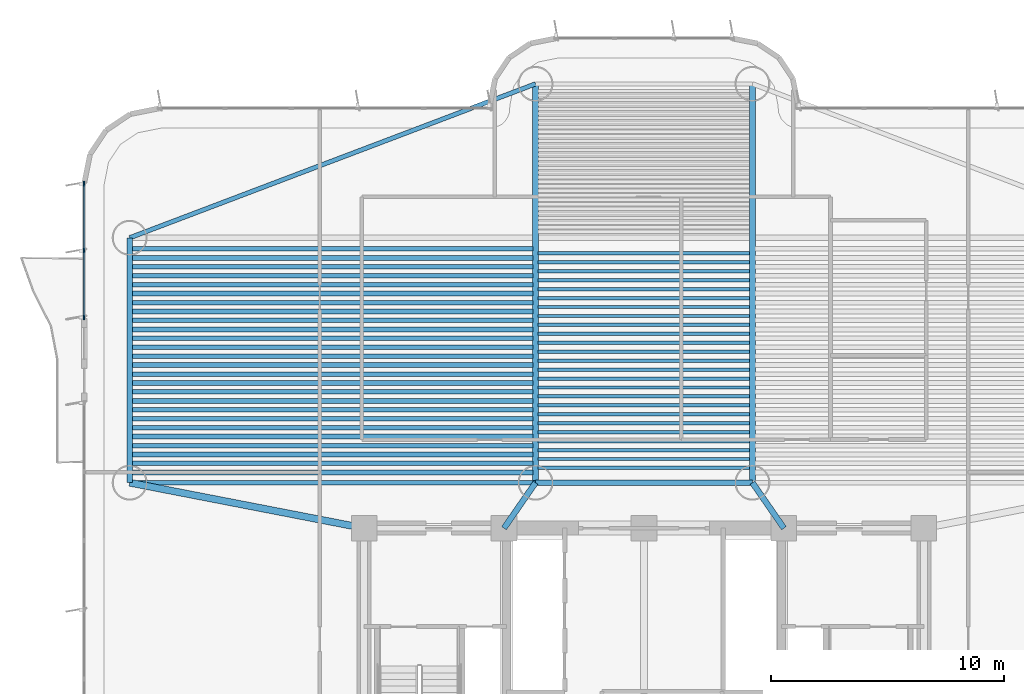
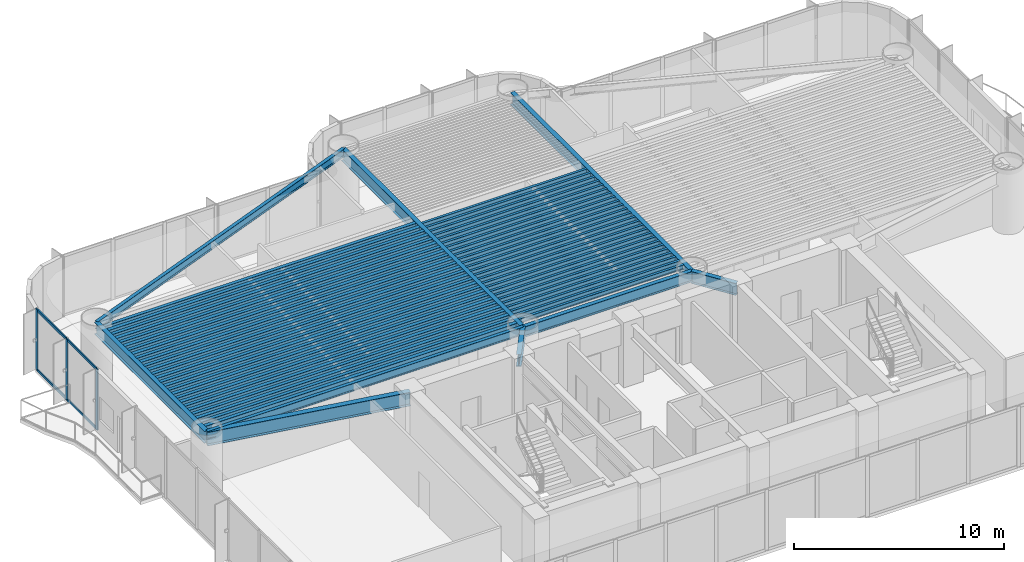
# One storey, part 3 of 16: 60 beams, 7 members, 1 element without a shape of its own.
"""IFC4 building model written with IfcOpenShell, lengths in metres."""

from ifc_helpers import new_model, si_unit, direction, frame, origin, origin_2d, place, context, subcontext, project, spatial, rectangle, i_section, extrude, source, transform, mapped, material, layer, layer_set, material_profile, profile_set, type_object, element, aggregate, save


model = new_model("IFC4")

# Units and contexts
model_context = context("Model", 3, precision=1e-05, world=origin(), true_north=direction((0.0, 1.0)))
body_context = subcontext(model_context, "Body", "Model", "MODEL_VIEW")
ifc_project = project(units=[si_unit("LENGTHUNIT", "METRE"), si_unit("AREAUNIT", "SQUARE_METRE"), si_unit("VOLUMEUNIT", "CUBIC_METRE"), si_unit("PLANEANGLEUNIT", "RADIAN"), si_unit("MASSUNIT", "GRAM", prefix="KILO")], contexts=[model_context])

# Site, building, storey
site_placement = place(None, origin())
site = spatial("IfcSite", under=ifc_project, at=site_placement, CompositionType="ELEMENT")
building_placement = place(site_placement, origin())
building = spatial("IfcBuilding", under=site, at=building_placement, Name="Brelvock Crest Care Tower", CompositionType="ELEMENT")
storey_placement = place(building_placement, frame((0.0, 0.0, 61.02001953125)))
storey = spatial("IfcBuildingStorey", under=building, at=storey_placement, Name="L15", CompositionType="ELEMENT", Elevation=61.02001953125)

# Beams
ifc_material_1 = material(Name="Steel Grade 350", Category="steel")
ifc_material_profile_1 = material_profile(ifc_material_1, i_section(OverallWidth=0.25, OverallDepth=0.699951171875, WebThickness=0.011962890625, FlangeThickness=0.02001953125, at=origin_2d()), Name="700WB150")
ifc_profile_set_1 = profile_set([ifc_material_profile_1], Name="Steel Grade 350")
beam_type_1 = type_object("IfcBeamType", Name="BM-G4", PredefinedType="BEAM", material=ifc_profile_set_1)
shared_shape_1 = source(origin(), body_context, "Body", "SweptSolid", [
    extrude(i_section(OverallWidth=0.25, OverallDepth=0.699951171875, WebThickness=0.011962890625, FlangeThickness=0.02001953125, at=origin_2d()), origin(), (0.0, 0.0, 1.0), 10.5),
])
beam_1_placement = place(storey_placement, frame((13.949951171875, 19.949951171875, 3.179931640625), z_axis=(0.0, 1.0, 0.0), x_axis=(-1.0, 0.0, 0.0)))
element("IfcBeam", 1, at=beam_1_placement, inside=storey, type_object=beam_type_1, Name="BM-TWR-L15-01", PredefinedType="BEAM", context=body_context, shape_type="MappedRepresentation", body=[
    mapped(shared_shape_1, transform((0.0, 0.0, 0.0), x_axis=(1.0, 0.0, 0.0), y_axis=(0.0, 1.0, 0.0), z_axis=(0.0, 0.0, 1.0), scale=1.0)),
])
ifc_material_profile_2 = material_profile(ifc_material_1, i_section(OverallWidth=0.19091796875, OverallDepth=0.4599609375, WebThickness=0.010009765625, FlangeThickness=0.01611328125, FilletRadius=0.011474609375, at=origin_2d()), Name="460UB82.1")
ifc_profile_set_2 = profile_set([ifc_material_profile_2], Name="Steel Grade 350")
beam_type_2 = type_object("IfcBeamType", Name="BM-SP2", PredefinedType="SPANDREL", material=ifc_profile_set_2)
shared_shape_2 = source(origin(), body_context, "Body", "SweptSolid", [
    extrude(i_section(OverallWidth=0.19091796875, OverallDepth=0.4599609375, WebThickness=0.010009765625, FlangeThickness=0.01611328125, FilletRadius=0.011474609375, at=origin_2d()), origin(), (0.0, 0.0, 1.0), 17.400146484375),
])
beam_2_placement = place(storey_placement, frame((13.949951171875, 19.949951171875, 3.300048828125), z_axis=(1.0, 0.0, 0.0), x_axis=(0.0, 1.0, 0.0)))
element("IfcBeam", 2, at=beam_2_placement, inside=storey, type_object=beam_type_2, Name="BM-TWR-L15-03", PredefinedType="SPANDREL", context=body_context, shape_type="MappedRepresentation", body=[
    mapped(shared_shape_2, transform((0.0, 0.0, 0.0), x_axis=(1.0, 0.0, 0.0), y_axis=(0.0, 1.0, 0.0), z_axis=(0.0, 0.0, 1.0), scale=1.0)),
])
ifc_material_profile_3 = material_profile(ifc_material_1, i_section(OverallWidth=0.22900390625, OverallDepth=0.612060546875, WebThickness=0.011962890625, FlangeThickness=0.01953125, FilletRadius=0.013916015625, at=origin_2d()), Name="610UB125")
ifc_profile_set_3 = profile_set([ifc_material_profile_3], Name="Steel Grade 350")
beam_type_3 = type_object("IfcBeamType", Name="BM-G1", PredefinedType="BEAM", material=ifc_profile_set_3)
shared_shape_3 = source(origin(), body_context, "Body", "SweptSolid", [
    extrude(i_section(OverallWidth=0.22900390625, OverallDepth=0.612060546875, WebThickness=0.011962890625, FlangeThickness=0.01953125, FilletRadius=0.013916015625, at=origin_2d()), origin(), (0.0, 0.0, 1.0), 9.2998046875),
])
beam_3_placement = place(storey_placement, frame((31.35009765625, 19.949951171875, 3.223876953125), z_axis=(1.0, 0.0, 0.0), x_axis=(0.0, 1.0, 0.0)))
element("IfcBeam", 3, at=beam_3_placement, inside=storey, type_object=beam_type_3, Name="BM-TWR-L15-05", PredefinedType="BEAM", context=body_context, shape_type="MappedRepresentation", body=[
    mapped(shared_shape_3, transform((0.0, 0.0, 0.0), x_axis=(1.0, 0.0, 0.0), y_axis=(0.0, 1.0, 0.0), z_axis=(0.0, 0.0, 1.0), scale=1.0)),
])
shared_shape_4 = source(origin(), body_context, "Body", "SweptSolid", [
    extrude(i_section(OverallWidth=0.19091796875, OverallDepth=0.4599609375, WebThickness=0.010009765625, FlangeThickness=0.01611328125, FilletRadius=0.011474609375, at=origin_2d()), origin(), (0.0, 0.0, 1.0), 18.60986328125),
])
beam_4_placement = place(storey_placement, frame((13.949951171875, 30.449951171875, 3.300048828125), z_axis=(0.934996776275, 0.3546562115, 0.0), x_axis=(-0.3546562115, 0.934996776275, 0.0)))
element("IfcBeam", 4, at=beam_4_placement, inside=storey, type_object=beam_type_2, Name="BM-TWR-L15-06", PredefinedType="SPANDREL", context=body_context, shape_type="MappedRepresentation", body=[
    mapped(shared_shape_4, transform((0.0, 0.0, 0.0), x_axis=(1.0, 0.0, 0.0), y_axis=(0.0, 1.0, 0.0), z_axis=(0.0, 0.0, 1.0), scale=1.0)),
])
shared_shape_5 = source(origin(), body_context, "Body", "SweptSolid", [
    extrude(i_section(OverallWidth=0.25, OverallDepth=0.699951171875, WebThickness=0.011962890625, FlangeThickness=0.02001953125, at=origin_2d()), origin(), (0.0, 0.0, 1.0), 17.10009765625),
])
for number, where, z_axis, x_axis, name in (
    (5, (31.35009765625, 19.949951171875, 3.179931640625), (0.0, 1.0, 0.0), (-1.0, 0.0, 0.0), "BM-TWR-L15-09"),
    (6, (40.64990234375, 19.949951171875, 3.179931640625), (0.0, 1.0, 0.0), (-1.0, 0.0, 0.0), "BM-TWR-L15-10"),
):
    element("IfcBeam", number, at=place(storey_placement, frame(where, z_axis=z_axis, x_axis=x_axis)), inside=storey, type_object=beam_type_1, Name=name, PredefinedType="BEAM", context=body_context, shape_type="MappedRepresentation", body=[
        mapped(shared_shape_5, transform((0.0, 0.0, 0.0), x_axis=(1.0, 0.0, 0.0), y_axis=(0.0, 1.0, 0.0), z_axis=(0.0, 0.0, 1.0), scale=1.0)),
    ])
shared_shape_6 = source(origin(), body_context, "Body", "SweptSolid", [
    extrude(i_section(OverallWidth=0.25, OverallDepth=0.699951171875, WebThickness=0.011962890625, FlangeThickness=0.02001953125, at=origin_2d()), origin(), (0.0, 0.0, 1.0), 2.371826171875),
])
for number, where, z_axis, x_axis, name in (
    (7, (30.0, 18.0, 3.179931640625), (0.569247447691, 0.8221662504, 0.0), (-0.8221662504, 0.569247447691, 0.0), "BM-THRW-L15"),
    (8, (42.0, 18.0, 3.179931640625), (-0.569247447691, 0.8221662504, 0.0), (-0.8221662504, -0.569247447691, 0.0), "BM-THRE-L15"),
):
    element("IfcBeam", number, at=place(storey_placement, frame(where, z_axis=z_axis, x_axis=x_axis)), inside=storey, type_object=beam_type_1, Name=name, PredefinedType="BEAM", context=body_context, shape_type="MappedRepresentation", body=[
        mapped(shared_shape_6, transform((0.0, 0.0, 0.0), x_axis=(1.0, 0.0, 0.0), y_axis=(0.0, 1.0, 0.0), z_axis=(0.0, 0.0, 1.0), scale=1.0)),
    ])
ifc_material_profile_4 = material_profile(ifc_material_1, i_section(OverallWidth=0.300048828125, OverallDepth=0.800048828125, WebThickness=0.013916015625, FlangeThickness=0.02197265625, at=origin_2d()), Name="800WB192")
ifc_profile_set_4 = profile_set([ifc_material_profile_4], Name="Steel Grade 350")
beam_type_4 = type_object("IfcBeamType", Name="BM-G5", PredefinedType="BEAM", material=ifc_profile_set_4)
shared_shape_7 = source(origin(), body_context, "Body", "SweptSolid", [
    extrude(i_section(OverallWidth=0.300048828125, OverallDepth=0.800048828125, WebThickness=0.013916015625, FlangeThickness=0.02197265625, at=origin_2d()), origin(), (0.0, 0.0, 1.0), 10.237548828125),
])
beam_5_placement = place(storey_placement, frame((24.0, 18.0, 3.1298828125), z_axis=(-0.981692632568, 0.190471979991, 0.0), x_axis=(-0.190471979991, -0.981692632568, 0.0)))
element("IfcBeam", 9, at=beam_5_placement, inside=storey, type_object=beam_type_4, Name="BM-THRO-W-L15", PredefinedType="BEAM", context=body_context, shape_type="MappedRepresentation", body=[
    mapped(shared_shape_7, transform((0.0, 0.0, 0.0), x_axis=(1.0, 0.0, 0.0), y_axis=(0.0, 1.0, 0.0), z_axis=(0.0, 0.0, 1.0), scale=1.0)),
])
ifc_material_profile_5 = material_profile(ifc_material_1, i_section(OverallWidth=0.208984375, OverallDepth=0.532958984375, WebThickness=0.01025390625, FlangeThickness=0.015625, FilletRadius=0.013916015625, at=origin_2d()), Name="530UB92.4")
ifc_profile_set_5 = profile_set([ifc_material_profile_5], Name="Steel Grade 350")
beam_type_5 = type_object("IfcBeamType", Name="BM-G2", PredefinedType="BEAM", material=ifc_profile_set_5)
shared_shape_8 = source(origin(), body_context, "Body", "SweptSolid", [
    extrude(i_section(OverallWidth=0.208984375, OverallDepth=0.532958984375, WebThickness=0.01025390625, FlangeThickness=0.015625, FilletRadius=0.013916015625, at=origin_2d()), origin(), (0.0, 0.0, 1.0), 17.170166015625),
])
for number, where, z_axis, x_axis, name in (
    (10, (14.06494140625, 20.39111328125, 3.263427734375), (1.0, 0.0, 0.0), (0.0, 1.0, 0.0), "BM-JW-L15-1"),
    (11, (14.06494140625, 21.157470703125, 3.263427734375), (1.0, 0.0, 0.0), (0.0, 1.0, 0.0), "BM-JW-L15-3"),
    (12, (14.06494140625, 21.924072265625, 3.263427734375), (1.0, 0.0, 0.0), (0.0, 1.0, 0.0), "BM-JW-L15-5"),
    (13, (14.06494140625, 22.6904296875, 3.263427734375), (1.0, 0.0, 0.0), (0.0, 1.0, 0.0), "BM-JW-L15-7"),
    (14, (14.06494140625, 23.45703125, 3.263427734375), (1.0, 0.0, 0.0), (0.0, 1.0, 0.0), "BM-JW-L15-9"),
    (15, (14.06494140625, 24.223388671875, 3.263427734375), (1.0, 0.0, 0.0), (0.0, 1.0, 0.0), "BM-JW-L15-11"),
    (16, (14.06494140625, 24.989990234375, 3.263427734375), (1.0, 0.0, 0.0), (0.0, 1.0, 0.0), "BM-JW-L15-13"),
    (17, (14.06494140625, 25.756591796875, 3.263427734375), (1.0, 0.0, 0.0), (0.0, 1.0, 0.0), "BM-JW-L15-15"),
    (18, (14.06494140625, 26.52294921875, 3.263427734375), (1.0, 0.0, 0.0), (0.0, 1.0, 0.0), "BM-JW-L15-17"),
    (19, (14.06494140625, 27.28955078125, 3.263427734375), (1.0, 0.0, 0.0), (0.0, 1.0, 0.0), "BM-JW-L15-19"),
    (20, (14.06494140625, 28.055908203125, 3.263427734375), (1.0, 0.0, 0.0), (0.0, 1.0, 0.0), "BM-JW-L15-21"),
    (21, (14.06494140625, 28.822509765625, 3.263427734375), (1.0, 0.0, 0.0), (0.0, 1.0, 0.0), "BM-JW-L15-23"),
    (22, (14.06494140625, 29.589111328125, 3.263427734375), (1.0, 0.0, 0.0), (0.0, 1.0, 0.0), "BM-JW-L15-25"),
):
    element("IfcBeam", number, at=place(storey_placement, frame(where, z_axis=z_axis, x_axis=x_axis)), inside=storey, type_object=beam_type_5, Name=name, PredefinedType="BEAM", context=body_context, shape_type="MappedRepresentation", body=[
        mapped(shared_shape_8, transform((0.0, 0.0, 0.0), x_axis=(1.0, 0.0, 0.0), y_axis=(0.0, 1.0, 0.0), z_axis=(0.0, 0.0, 1.0), scale=1.0)),
    ])
ifc_material_profile_6 = material_profile(ifc_material_1, i_section(OverallWidth=0.14599609375, OverallDepth=0.256103515625, WebThickness=0.00634765625, FlangeThickness=0.010986328125, FilletRadius=0.0087890625, at=origin_2d()), Name="250UB37.3")
ifc_profile_set_6 = profile_set([ifc_material_profile_6], Name="Steel Grade 350")
beam_type_6 = type_object("IfcBeamType", Name="BM-J3", PredefinedType="JOIST", material=ifc_profile_set_6)
shared_shape_9 = source(origin(), body_context, "Body", "SweptSolid", [
    extrude(i_section(OverallWidth=0.14599609375, OverallDepth=0.256103515625, WebThickness=0.00634765625, FlangeThickness=0.010986328125, FilletRadius=0.0087890625, at=origin_2d()), origin(), (0.0, 0.0, 1.0), 9.06982421875),
])
for number, where, z_axis, x_axis, name in (
    (23, (31.465087890625, 20.58251953125, 3.402099609375), (1.0, 0.0, 0.0), (0.0, 1.0, 0.0), "BM-JH-L15-1"),
    (24, (31.465087890625, 20.9658203125, 3.402099609375), (1.0, 0.0, 0.0), (0.0, 1.0, 0.0), "BM-JH-L15-2"),
    (25, (31.465087890625, 21.34912109375, 3.402099609375), (1.0, 0.0, 0.0), (0.0, 1.0, 0.0), "BM-JH-L15-3"),
    (26, (31.465087890625, 21.732421875, 3.402099609375), (1.0, 0.0, 0.0), (0.0, 1.0, 0.0), "BM-JH-L15-4"),
    (27, (31.465087890625, 22.115478515625, 3.402099609375), (1.0, 0.0, 0.0), (0.0, 1.0, 0.0), "BM-JH-L15-5"),
    (28, (31.465087890625, 22.498779296875, 3.402099609375), (1.0, 0.0, 0.0), (0.0, 1.0, 0.0), "BM-JH-L15-6"),
    (29, (31.465087890625, 22.882080078125, 3.402099609375), (1.0, 0.0, 0.0), (0.0, 1.0, 0.0), "BM-JH-L15-7"),
    (30, (31.465087890625, 23.265380859375, 3.402099609375), (1.0, 0.0, 0.0), (0.0, 1.0, 0.0), "BM-JH-L15-8"),
    (31, (31.465087890625, 23.648681640625, 3.402099609375), (1.0, 0.0, 0.0), (0.0, 1.0, 0.0), "BM-JH-L15-9"),
    (32, (31.465087890625, 24.03173828125, 3.402099609375), (1.0, 0.0, 0.0), (0.0, 1.0, 0.0), "BM-JH-L15-10"),
    (33, (31.465087890625, 24.4150390625, 3.402099609375), (1.0, 0.0, 0.0), (0.0, 1.0, 0.0), "BM-JH-L15-11"),
    (34, (31.465087890625, 24.79833984375, 3.402099609375), (1.0, 0.0, 0.0), (0.0, 1.0, 0.0), "BM-JH-L15-12"),
    (35, (31.465087890625, 25.181640625, 3.402099609375), (1.0, 0.0, 0.0), (0.0, 1.0, 0.0), "BM-JH-L15-13"),
    (36, (31.465087890625, 25.564697265625, 3.402099609375), (1.0, 0.0, 0.0), (0.0, 1.0, 0.0), "BM-JH-L15-14"),
    (37, (31.465087890625, 25.947998046875, 3.402099609375), (1.0, 0.0, 0.0), (0.0, 1.0, 0.0), "BM-JH-L15-15"),
    (38, (31.465087890625, 26.331298828125, 3.402099609375), (1.0, 0.0, 0.0), (0.0, 1.0, 0.0), "BM-JH-L15-16"),
    (39, (31.465087890625, 26.714599609375, 3.402099609375), (1.0, 0.0, 0.0), (0.0, 1.0, 0.0), "BM-JH-L15-17"),
    (40, (31.465087890625, 27.097900390625, 3.402099609375), (1.0, 0.0, 0.0), (0.0, 1.0, 0.0), "BM-JH-L15-18"),
    (41, (31.465087890625, 27.481201171875, 3.402099609375), (1.0, 0.0, 0.0), (0.0, 1.0, 0.0), "BM-JH-L15-19"),
    (42, (31.465087890625, 27.864501953125, 3.402099609375), (1.0, 0.0, 0.0), (0.0, 1.0, 0.0), "BM-JH-L15-20"),
    (43, (31.465087890625, 28.24755859375, 3.402099609375), (1.0, 0.0, 0.0), (0.0, 1.0, 0.0), "BM-JH-L15-21"),
    (44, (31.465087890625, 28.630859375, 3.402099609375), (1.0, 0.0, 0.0), (0.0, 1.0, 0.0), "BM-JH-L15-22"),
    (45, (31.465087890625, 29.01416015625, 3.402099609375), (1.0, 0.0, 0.0), (0.0, 1.0, 0.0), "BM-JH-L15-23"),
    (46, (31.465087890625, 29.397216796875, 3.402099609375), (1.0, 0.0, 0.0), (0.0, 1.0, 0.0), "BM-JH-L15-24"),
    (47, (31.465087890625, 29.780517578125, 3.402099609375), (1.0, 0.0, 0.0), (0.0, 1.0, 0.0), "BM-JH-L15-25"),
):
    element("IfcBeam", number, at=place(storey_placement, frame(where, z_axis=z_axis, x_axis=x_axis)), inside=storey, type_object=beam_type_6, Name=name, PredefinedType="JOIST", context=body_context, shape_type="MappedRepresentation", body=[
        mapped(shared_shape_9, transform((0.0, 0.0, 0.0), x_axis=(1.0, 0.0, 0.0), y_axis=(0.0, 1.0, 0.0), z_axis=(0.0, 0.0, 1.0), scale=1.0)),
    ])
ifc_material_profile_7 = material_profile(ifc_material_1, i_section(OverallWidth=0.19091796875, OverallDepth=0.4599609375, WebThickness=0.010009765625, FlangeThickness=0.01611328125, FilletRadius=0.011474609375, at=origin_2d()), Name="460UB82.1")
ifc_profile_set_7 = profile_set([ifc_material_profile_7], Name="Steel Grade 350")
beam_type_7 = type_object("IfcBeamType", Name="BM-G3", PredefinedType="BEAM", material=ifc_profile_set_7)
shared_shape_10 = source(origin(), body_context, "Body", "SweptSolid", [
    extrude(i_section(OverallWidth=0.19091796875, OverallDepth=0.4599609375, WebThickness=0.010009765625, FlangeThickness=0.01611328125, FilletRadius=0.011474609375, at=origin_2d()), origin(), (0.0, 0.0, 1.0), 17.170166015625),
])
for number, where, z_axis, x_axis, name in (
    (48, (14.06494140625, 20.774169921875, 3.300048828125), (1.0, 0.0, 0.0), (0.0, 1.0, 0.0), "BM-JW-L15-2"),
    (49, (14.06494140625, 21.540771484375, 3.300048828125), (1.0, 0.0, 0.0), (0.0, 1.0, 0.0), "BM-JW-L15-4"),
    (50, (14.06494140625, 22.30712890625, 3.300048828125), (1.0, 0.0, 0.0), (0.0, 1.0, 0.0), "BM-JW-L15-6"),
    (51, (14.06494140625, 23.07373046875, 3.300048828125), (1.0, 0.0, 0.0), (0.0, 1.0, 0.0), "BM-JW-L15-8"),
    (52, (14.06494140625, 23.840087890625, 3.300048828125), (1.0, 0.0, 0.0), (0.0, 1.0, 0.0), "BM-JW-L15-10"),
    (53, (14.06494140625, 24.606689453125, 3.300048828125), (1.0, 0.0, 0.0), (0.0, 1.0, 0.0), "BM-JW-L15-12"),
    (54, (14.06494140625, 25.373291015625, 3.300048828125), (1.0, 0.0, 0.0), (0.0, 1.0, 0.0), "BM-JW-L15-14"),
    (55, (14.06494140625, 26.1396484375, 3.300048828125), (1.0, 0.0, 0.0), (0.0, 1.0, 0.0), "BM-JW-L15-16"),
    (56, (14.06494140625, 26.90625, 3.300048828125), (1.0, 0.0, 0.0), (0.0, 1.0, 0.0), "BM-JW-L15-18"),
    (57, (14.06494140625, 27.6728515625, 3.300048828125), (1.0, 0.0, 0.0), (0.0, 1.0, 0.0), "BM-JW-L15-20"),
    (58, (14.06494140625, 28.439208984375, 3.300048828125), (1.0, 0.0, 0.0), (0.0, 1.0, 0.0), "BM-JW-L15-22"),
    (59, (14.06494140625, 29.205810546875, 3.300048828125), (1.0, 0.0, 0.0), (0.0, 1.0, 0.0), "BM-JW-L15-24"),
    (60, (14.06494140625, 29.97216796875, 3.300048828125), (1.0, 0.0, 0.0), (0.0, 1.0, 0.0), "BM-JW-L15-26"),
):
    element("IfcBeam", number, at=place(storey_placement, frame(where, z_axis=z_axis, x_axis=x_axis)), inside=storey, type_object=beam_type_7, Name=name, PredefinedType="BEAM", context=body_context, shape_type="MappedRepresentation", body=[
        mapped(shared_shape_10, transform((0.0, 0.0, 0.0), x_axis=(1.0, 0.0, 0.0), y_axis=(0.0, 1.0, 0.0), z_axis=(0.0, 0.0, 1.0), scale=1.0)),
    ])

# Curtain wall, members
ifc_material_2 = material(Name="Dark Glass Double Glazed Low-E", Category="glass")
ifc_layer = layer(ifc_material_2, 0.195068359375, Name="CWS-2")
ifc_layer_set = layer_set([ifc_layer], Name="Dark Glass Double Glazed Low-E")
curtain_wall_type = type_object("IfcCurtainWallType", Name="CWS-2", PredefinedType="NOTDEFINED", material=ifc_layer_set)
curtain_wall_placement = place(storey_placement, origin())
curtain_wall = element("IfcCurtainWall", 61, at=curtain_wall_placement, inside=storey, type_object=curtain_wall_type, Name="L15 Curtain Wall E13B", PredefinedType="NOTDEFINED")
ifc_material_3 = material(Name="Aluminium 6063-T6", Category="aluminium")
ifc_material_profile_8 = material_profile(ifc_material_3, rectangle(XDim=0.06494140625, YDim=0.199951171875, at=origin_2d()), Name="ALU65x200")
ifc_profile_set_8 = profile_set([ifc_material_profile_8], Name="Aluminium 6063-T6")
member_type_1 = type_object("IfcMemberType", Name="CWM-1", PredefinedType="MULLION", material=ifc_profile_set_8)
shared_shape_11 = source(origin(), body_context, "Body", "SweptSolid", [
    extrude(rectangle(XDim=0.06494140625, YDim=0.199951171875, at=origin_2d()), origin(), (0.0, 0.0, 1.0), 3.530029296875),
])
member_1_placement = place(storey_placement, frame((12.0, 27.032470703125, 0.0), z_axis=(0.0, 0.0, 1.0), x_axis=(-1.0, 0.0, 0.0)))
member_1 = element("IfcMember", 62, at=member_1_placement, type_object=member_type_1, Name="CW-2 mullion 1", PredefinedType="MULLION", context=body_context, shape_type="MappedRepresentation", body=[
    mapped(shared_shape_11, transform((0.0, 0.0, 0.0), x_axis=(1.0, 0.0, 0.0), y_axis=(0.0, 1.0, 0.0), z_axis=(0.0, 0.0, 1.0), scale=1.0)),
])
member_2_placement = place(storey_placement, frame((12.0, 29.89990234375, 0.0), z_axis=(0.0, 0.0, 1.0), x_axis=(-1.0, 0.0, 0.0)))
member_2 = element("IfcMember", 63, at=member_2_placement, type_object=member_type_1, Name="CW-2 mullion 2", PredefinedType="MULLION", context=body_context, shape_type="MappedRepresentation", body=[
    mapped(shared_shape_11, transform((0.0, 0.0, 0.0), x_axis=(1.0, 0.0, 0.0), y_axis=(0.0, 1.0, 0.0), z_axis=(0.0, 0.0, 1.0), scale=1.0)),
])
member_3_placement = place(storey_placement, frame((12.0, 32.767578125, 0.0), z_axis=(0.0, 0.0, 1.0), x_axis=(-1.0, 0.0, 0.0)))
member_3 = element("IfcMember", 64, at=member_3_placement, type_object=member_type_1, Name="CW-2 mullion 3", PredefinedType="MULLION", context=body_context, shape_type="MappedRepresentation", body=[
    mapped(shared_shape_11, transform((0.0, 0.0, 0.0), x_axis=(1.0, 0.0, 0.0), y_axis=(0.0, 1.0, 0.0), z_axis=(0.0, 0.0, 1.0), scale=1.0)),
])
ifc_material_profile_9 = material_profile(ifc_material_3, rectangle(XDim=0.06494140625, YDim=0.14990234375, at=origin_2d()), Name="ALU65x150")
ifc_profile_set_9 = profile_set([ifc_material_profile_9], Name="Aluminium 6063-T6")
member_type_2 = type_object("IfcMemberType", Name="CWT-1", PredefinedType="USERDEFINED", material=ifc_profile_set_9)
shared_shape_12 = source(origin(), body_context, "Body", "SweptSolid", [
    extrude(rectangle(XDim=0.06494140625, YDim=0.14990234375, at=origin_2d()), origin(), (0.0, 0.0, 1.0), 2.802490234375),
])
member_4_placement = place(storey_placement, frame((12.0, 27.06494140625, 0.032470703125), z_axis=(0.0, 1.0, 0.0), x_axis=(-1.0, 0.0, 0.0)))
member_4 = element("IfcMember", 65, at=member_4_placement, type_object=member_type_2, Name="CW-2 transom 1.1", ObjectType="TRANSOM", PredefinedType="USERDEFINED", context=body_context, shape_type="MappedRepresentation", body=[
    mapped(shared_shape_12, transform((0.0, 0.0, 0.0), x_axis=(1.0, 0.0, 0.0), y_axis=(0.0, 1.0, 0.0), z_axis=(0.0, 0.0, 1.0), scale=1.0)),
])
member_5_placement = place(storey_placement, frame((12.0, 27.06494140625, 3.49755859375), z_axis=(0.0, 1.0, 0.0), x_axis=(-1.0, 0.0, 0.0)))
member_5 = element("IfcMember", 66, at=member_5_placement, type_object=member_type_2, Name="CW-2 transom 1.2", ObjectType="TRANSOM", PredefinedType="USERDEFINED", context=body_context, shape_type="MappedRepresentation", body=[
    mapped(shared_shape_12, transform((0.0, 0.0, 0.0), x_axis=(1.0, 0.0, 0.0), y_axis=(0.0, 1.0, 0.0), z_axis=(0.0, 0.0, 1.0), scale=1.0)),
])
member_6_placement = place(storey_placement, frame((12.0, 29.9326171875, 0.032470703125), z_axis=(0.0, 1.0, 0.0), x_axis=(-1.0, 0.0, 0.0)))
member_6 = element("IfcMember", 67, at=member_6_placement, type_object=member_type_2, Name="CW-2 transom 2.1", ObjectType="TRANSOM", PredefinedType="USERDEFINED", context=body_context, shape_type="MappedRepresentation", body=[
    mapped(shared_shape_12, transform((0.0, 0.0, 0.0), x_axis=(1.0, 0.0, 0.0), y_axis=(0.0, 1.0, 0.0), z_axis=(0.0, 0.0, 1.0), scale=1.0)),
])
member_7_placement = place(storey_placement, frame((12.0, 29.9326171875, 3.49755859375), z_axis=(0.0, 1.0, 0.0), x_axis=(-1.0, 0.0, 0.0)))
member_7 = element("IfcMember", 68, at=member_7_placement, type_object=member_type_2, Name="CW-2 transom 2.2", ObjectType="TRANSOM", PredefinedType="USERDEFINED", context=body_context, shape_type="MappedRepresentation", body=[
    mapped(shared_shape_12, transform((0.0, 0.0, 0.0), x_axis=(1.0, 0.0, 0.0), y_axis=(0.0, 1.0, 0.0), z_axis=(0.0, 0.0, 1.0), scale=1.0)),
])
aggregate(curtain_wall, [member_1, member_2, member_3, member_4, member_5, member_6, member_7])

save(model, "model.ifc")
